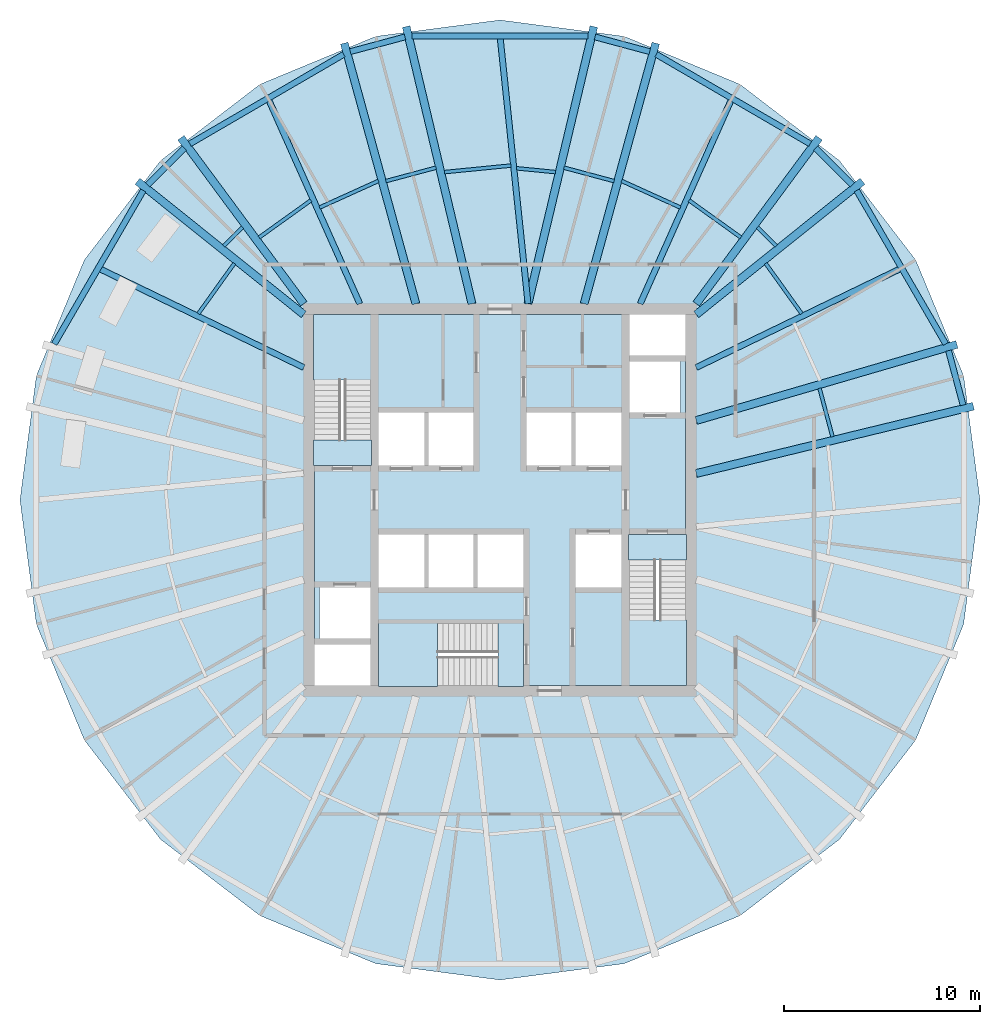
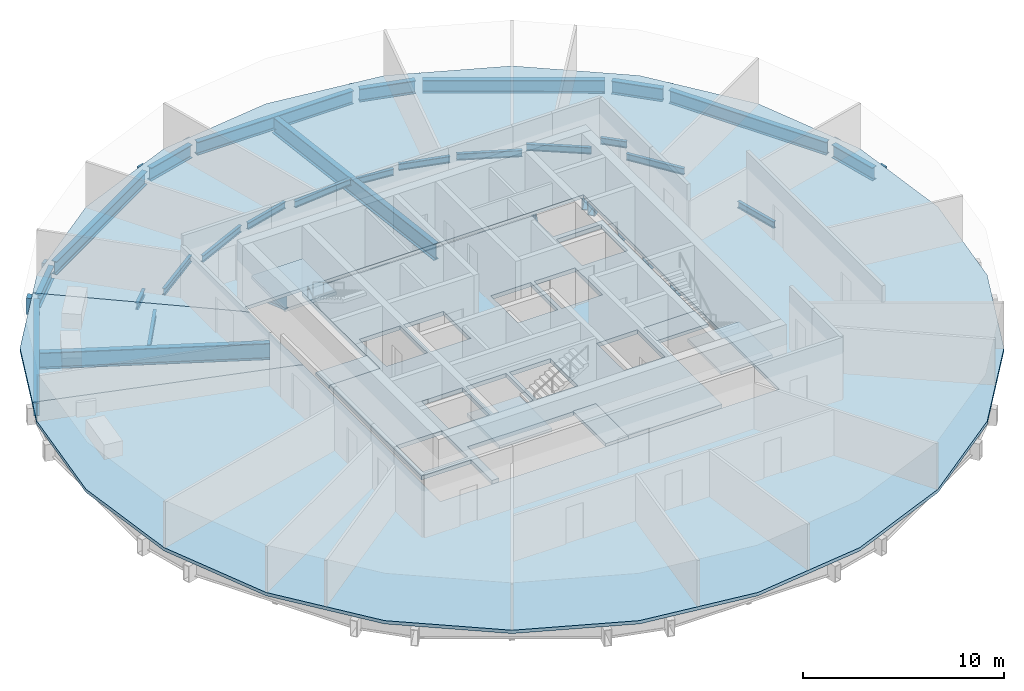
# One storey, part 2 of 7: 38 beams, 9 slabs, 3 elements without a shape of their own.
"""IFC4 building model written with IfcOpenShell, lengths in metres."""

from ifc_helpers import new_model, si_unit, direction, frame, origin, origin_2d, place, context, subcontext, project, spatial, polyline, hollow_rectangle, i_section, outline, extrude, material, layer, layer_set, material_profile, profile_set, type_object, element, aggregate, save


model = new_model("IFC4")

# Units and contexts
model_context = context("Model", 3, precision=1e-05, world=origin(), true_north=direction((0.0, 1.0)))
body_context = subcontext(model_context, "Body", "Model", "MODEL_VIEW")
ifc_project = project(units=[si_unit("LENGTHUNIT", "METRE"), si_unit("AREAUNIT", "SQUARE_METRE"), si_unit("VOLUMEUNIT", "CUBIC_METRE"), si_unit("PLANEANGLEUNIT", "RADIAN"), si_unit("MASSUNIT", "GRAM", prefix="KILO")], contexts=[model_context])

# Site, building, storey
site_placement = place(None, origin())
site = spatial("IfcSite", under=ifc_project, at=site_placement, CompositionType="ELEMENT")
building_placement = place(site_placement, origin())
building = spatial("IfcBuilding", under=site, at=building_placement, Name="Golbaran Civic Tower", CompositionType="ELEMENT")
storey_placement = place(building_placement, frame((0.0, 0.0, 130.0)))
storey = spatial("IfcBuildingStorey", under=building, at=storey_placement, Name="L31", CompositionType="ELEMENT", Elevation=130.0)

# Beams
ifc_material_1 = material(Name="Steel S355", Category="steel")
ifc_material_profile_1 = material_profile(ifc_material_1, i_section(OverallWidth=0.300048828125, OverallDepth=0.800048828125, WebThickness=0.017578125, FlangeThickness=0.032958984375, FilletRadius=0.030029296875, at=origin_2d()), Name="HEB 800")
ifc_profile_set_1 = profile_set([ifc_material_profile_1], Name="Steel S355")
beam_type_1 = type_object("IfcBeamType", Name="EDGE BEAM HEB 800", PredefinedType="BEAM", material=ifc_profile_set_1)
beam_1_placement = place(storey_placement, frame((23.592529296875, 4.833984375, -0.60009765625), z_axis=(-0.258861981472, 0.965914320501, 0.0), x_axis=(-0.965914320501, -0.258861981472, 0.0)))
element("IfcBeam", 1, at=beam_1_placement, inside=storey, type_object=beam_type_1, Name="Edge beam 11.26 L31", PredefinedType="BEAM", context=body_context, shape_type="SweptSolid", body=[
    extrude(i_section(OverallWidth=0.300048828125, OverallDepth=0.800048828125, WebThickness=0.017578125, FlangeThickness=0.032958984375, FilletRadius=0.030029296875, at=origin_2d()), origin(), (0.0, 0.0, 1.0), 2.87548828125),
])
beam_2_placement = place(storey_placement, frame((22.70849609375, 7.94580078125, -0.60009765625), z_axis=(-0.5017193018, 0.865030486284, 0.0), x_axis=(-0.865030486284, -0.5017193018, 0.0)))
element("IfcBeam", 2, at=beam_2_placement, inside=storey, type_object=beam_type_1, Name="Edge beam 18.74 L31", PredefinedType="BEAM", context=body_context, shape_type="SweptSolid", body=[
    extrude(i_section(OverallWidth=0.300048828125, OverallDepth=0.800048828125, WebThickness=0.017578125, FlangeThickness=0.032958984375, FilletRadius=0.030029296875, at=origin_2d()), origin(), (0.0, 0.0, 1.0), 9.043701171875),
])
beam_3_placement = place(storey_placement, frame((17.951904296875, 16.054443359375, -0.60009765625), z_axis=(-0.706505441235, 0.707707610179, 0.0), x_axis=(-0.707707610179, -0.706505441235, 0.0)))
element("IfcBeam", 3, at=beam_3_placement, inside=storey, type_object=beam_type_1, Name="Edge beam 41.26 L31", PredefinedType="BEAM", context=body_context, shape_type="SweptSolid", body=[
    extrude(i_section(OverallWidth=0.300048828125, OverallDepth=0.800048828125, WebThickness=0.017578125, FlangeThickness=0.032958984375, FilletRadius=0.030029296875, at=origin_2d()), origin(), (0.0, 0.0, 1.0), 2.64013671875),
])
beam_4_placement = place(storey_placement, frame((15.801513671875, 18.142822265625, -0.60009765625), z_axis=(-0.864400249816, 0.502804343774, 0.0), x_axis=(-0.502804343774, -0.864400249816, 0.0)))
element("IfcBeam", 4, at=beam_4_placement, inside=storey, type_object=beam_type_1, Name="Edge beam 48.74 L31", PredefinedType="BEAM", context=body_context, shape_type="SweptSolid", body=[
    extrude(i_section(OverallWidth=0.300048828125, OverallDepth=0.800048828125, WebThickness=0.017578125, FlangeThickness=0.032958984375, FilletRadius=0.030029296875, at=origin_2d()), origin(), (0.0, 0.0, 1.0), 9.068359375),
])
beam_5_placement = place(storey_placement, frame((7.628173828125, 22.842529296875, -0.60009765625), z_axis=(-0.965794305958, 0.259309387759, 0.0), x_axis=(-0.259309387759, -0.965794305958, 0.0)))
element("IfcBeam", 5, at=beam_5_placement, inside=storey, type_object=beam_type_1, Name="Edge beam 71.26 L31", PredefinedType="BEAM", context=body_context, shape_type="SweptSolid", body=[
    extrude(i_section(OverallWidth=0.300048828125, OverallDepth=0.800048828125, WebThickness=0.017578125, FlangeThickness=0.032958984375, FilletRadius=0.030029296875, at=origin_2d()), origin(), (0.0, 0.0, 1.0), 2.8876953125),
])
beam_6_placement = place(storey_placement, frame((4.48046875, 23.63818359375, -0.60009765625), z_axis=(-1.0, 0.0, 0.0), x_axis=(0.0, -1.0, 0.0)))
element("IfcBeam", 6, at=beam_6_placement, inside=storey, type_object=beam_type_1, Name="Edge beam 78.74 L31", PredefinedType="BEAM", context=body_context, shape_type="SweptSolid", body=[
    extrude(i_section(OverallWidth=0.300048828125, OverallDepth=0.800048828125, WebThickness=0.017578125, FlangeThickness=0.032958984375, FilletRadius=0.030029296875, at=origin_2d()), origin(), (0.0, 0.0, 1.0), 8.9609375),
])
beam_7_placement = place(storey_placement, frame((-4.83935546875, 23.59130859375, -0.60009765625), z_axis=(-0.965794305958, -0.259309387759, 0.0), x_axis=(0.259309387759, -0.965794305958, 0.0)))
element("IfcBeam", 7, at=beam_7_placement, inside=storey, type_object=beam_type_1, Name="Edge beam 101.26 L31", PredefinedType="BEAM", context=body_context, shape_type="SweptSolid", body=[
    extrude(i_section(OverallWidth=0.300048828125, OverallDepth=0.800048828125, WebThickness=0.017578125, FlangeThickness=0.032958984375, FilletRadius=0.030029296875, at=origin_2d()), origin(), (0.0, 0.0, 1.0), 2.8876953125),
])
beam_8_placement = place(storey_placement, frame((-7.962890625, 22.702392578125, -0.60009765625), z_axis=(-0.864400249816, -0.502804343774, 0.0), x_axis=(0.502804343774, -0.864400249816, 0.0)))
element("IfcBeam", 8, at=beam_8_placement, inside=storey, type_object=beam_type_1, Name="Edge beam 108.74 L31", PredefinedType="BEAM", context=body_context, shape_type="SweptSolid", body=[
    extrude(i_section(OverallWidth=0.300048828125, OverallDepth=0.800048828125, WebThickness=0.017578125, FlangeThickness=0.032958984375, FilletRadius=0.030029296875, at=origin_2d()), origin(), (0.0, 0.0, 1.0), 9.068359375),
])
beam_9_placement = place(storey_placement, frame((-16.086669921875, 17.9228515625, -0.60009765625), z_axis=(-0.706505441235, -0.707707610179, 0.0), x_axis=(0.707707610179, -0.706505441235, 0.0)))
element("IfcBeam", 9, at=beam_9_placement, inside=storey, type_object=beam_type_1, Name="Edge beam 131.26 L31", PredefinedType="BEAM", context=body_context, shape_type="SweptSolid", body=[
    extrude(i_section(OverallWidth=0.300048828125, OverallDepth=0.800048828125, WebThickness=0.017578125, FlangeThickness=0.032958984375, FilletRadius=0.030029296875, at=origin_2d()), origin(), (0.0, 0.0, 1.0), 2.64013671875),
])
beam_10_placement = place(storey_placement, frame((-18.171142578125, 15.768798828125, -0.60009765625), z_axis=(-0.5017193018, -0.865030486284, 0.0), x_axis=(0.865030486284, -0.5017193018, 0.0)))
element("IfcBeam", 10, at=beam_10_placement, inside=storey, type_object=beam_type_1, Name="Edge beam 138.74 L31", PredefinedType="BEAM", context=body_context, shape_type="SweptSolid", body=[
    extrude(i_section(OverallWidth=0.300048828125, OverallDepth=0.800048828125, WebThickness=0.017578125, FlangeThickness=0.032958984375, FilletRadius=0.030029296875, at=origin_2d()), origin(), (0.0, 0.0, 1.0), 9.043701171875),
])
ifc_material_profile_2 = material_profile(ifc_material_1, i_section(OverallWidth=0.179931640625, OverallDepth=0.39990234375, WebThickness=0.008544921875, FlangeThickness=0.013427734375, FilletRadius=0.02099609375, at=origin_2d()), Name="IPE 400")
ifc_profile_set_2 = profile_set([ifc_material_profile_2], Name="Steel S355")
beam_type_2 = type_object("IfcBeamType", Name="FLOOR INFILL BEAM IPE 400", PredefinedType="BEAM", material=ifc_profile_set_2)
beam_11_placement = place(storey_placement, frame((16.940185546875, 3.219482421875, -0.39990234375), z_axis=(-0.258825000964, 0.965924230401, 0.0), x_axis=(-0.965924230401, -0.258825000964, 0.0)))
element("IfcBeam", 11, at=beam_11_placement, inside=storey, type_object=beam_type_2, Name="Infill beam 15.00 L31", PredefinedType="BEAM", context=body_context, shape_type="SweptSolid", body=[
    extrude(i_section(OverallWidth=0.179931640625, OverallDepth=0.39990234375, WebThickness=0.008544921875, FlangeThickness=0.013427734375, FilletRadius=0.02099609375, at=origin_2d()), origin(), (0.0, 0.0, 1.0), 2.56201171875),
])
beam_12_placement = place(storey_placement, frame((15.36865234375, 9.492919921875, -0.39990234375), z_axis=(-0.582528332799, 0.812810397009, 0.0), x_axis=(-0.812810397009, -0.582528332799, 0.0)))
element("IfcBeam", 12, at=beam_12_placement, inside=storey, type_object=beam_type_2, Name="Infill beam 35.63 L31", PredefinedType="BEAM", context=body_context, shape_type="SweptSolid", body=[
    extrude(i_section(OverallWidth=0.179931640625, OverallDepth=0.39990234375, WebThickness=0.008544921875, FlangeThickness=0.013427734375, FilletRadius=0.02099609375, at=origin_2d()), origin(), (0.0, 0.0, 1.0), 3.148681640625),
])
beam_13_placement = place(storey_placement, frame((14.06494140625, 12.93896484375, -0.39990234375), z_axis=(-0.707016640735, 0.707196910149, 0.0), x_axis=(-0.707196910149, -0.707016640735, 0.0)))
element("IfcBeam", 13, at=beam_13_placement, inside=storey, type_object=beam_type_2, Name="Infill beam 45.00 L31", PredefinedType="BEAM", context=body_context, shape_type="SweptSolid", body=[
    extrude(i_section(OverallWidth=0.179931640625, OverallDepth=0.39990234375, WebThickness=0.008544921875, FlangeThickness=0.013427734375, FilletRadius=0.02099609375, at=origin_2d()), origin(), (0.0, 0.0, 1.0), 1.354248046875),
])
beam_14_placement = place(storey_placement, frame((12.272216796875, 13.373291015625, -0.39990234375), z_axis=(-0.812771400796, 0.582582740946, 0.0), x_axis=(-0.582582740946, -0.812771400796, 0.0)))
element("IfcBeam", 14, at=beam_14_placement, inside=storey, type_object=beam_type_2, Name="Infill beam 54.37 L31", PredefinedType="BEAM", context=body_context, shape_type="SweptSolid", body=[
    extrude(i_section(OverallWidth=0.179931640625, OverallDepth=0.39990234375, WebThickness=0.008544921875, FlangeThickness=0.013427734375, FilletRadius=0.02099609375, at=origin_2d()), origin(), (0.0, 0.0, 1.0), 3.244384765625),
])
beam_15_placement = place(storey_placement, frame((9.188232421875, 14.900390625, -0.39990234375), z_axis=(-0.910914708444, 0.412594709056, 0.0), x_axis=(-0.412594709056, -0.910914708444, 0.0)))
element("IfcBeam", 15, at=beam_15_placement, inside=storey, type_object=beam_type_2, Name="Infill beam 65.63 L31", PredefinedType="BEAM", context=body_context, shape_type="SweptSolid", body=[
    extrude(i_section(OverallWidth=0.179931640625, OverallDepth=0.39990234375, WebThickness=0.008544921875, FlangeThickness=0.013427734375, FilletRadius=0.02099609375, at=origin_2d()), origin(), (0.0, 0.0, 1.0), 3.289306640625),
])
beam_16_placement = place(storey_placement, frame((5.81494140625, 16.24462890625, -0.39990234375), z_axis=(-0.965924994823, 0.258822148155, 0.0), x_axis=(-0.258822148155, -0.965924994823, 0.0)))
element("IfcBeam", 16, at=beam_16_placement, inside=storey, type_object=beam_type_2, Name="Infill beam 75.00 L31", PredefinedType="BEAM", context=body_context, shape_type="SweptSolid", body=[
    extrude(i_section(OverallWidth=0.179931640625, OverallDepth=0.39990234375, WebThickness=0.008544921875, FlangeThickness=0.013427734375, FilletRadius=0.02099609375, at=origin_2d()), origin(), (0.0, 0.0, 1.0), 2.646728515625),
])
beam_17_placement = place(storey_placement, frame((2.83447265625, 16.703125, -0.39990234375), z_axis=(-0.995173494975, 0.098131110758, 0.0), x_axis=(-0.098131110758, -0.995173494975, 0.0)))
element("IfcBeam", 17, at=beam_17_placement, inside=storey, type_object=beam_type_2, Name="Infill beam 84.37 L31", PredefinedType="BEAM", context=body_context, shape_type="SweptSolid", body=[
    extrude(i_section(OverallWidth=0.179931640625, OverallDepth=0.39990234375, WebThickness=0.008544921875, FlangeThickness=0.013427734375, FilletRadius=0.02099609375, at=origin_2d()), origin(), (0.0, 0.0, 1.0), 2.0078125),
])
beam_18_placement = place(storey_placement, frame((0.560546875, 17.037841796875, -0.39990234375), z_axis=(-0.995175098578, -0.09811484684, 0.0), x_axis=(0.09811484684, -0.995175098578, 0.0)))
element("IfcBeam", 18, at=beam_18_placement, inside=storey, type_object=beam_type_2, Name="Infill beam 95.63 L31", PredefinedType="BEAM", context=body_context, shape_type="SweptSolid", body=[
    extrude(i_section(OverallWidth=0.179931640625, OverallDepth=0.39990234375, WebThickness=0.008544921875, FlangeThickness=0.013427734375, FilletRadius=0.02099609375, at=origin_2d()), origin(), (0.0, 0.0, 1.0), 3.411376953125),
])
beam_19_placement = place(storey_placement, frame((-3.25830078125, 16.9296875, -0.39990234375), z_axis=(-0.965924994823, -0.258822148155, 0.0), x_axis=(0.258822148155, -0.965924994823, 0.0)))
element("IfcBeam", 19, at=beam_19_placement, inside=storey, type_object=beam_type_2, Name="Infill beam 105.00 L31", PredefinedType="BEAM", context=body_context, shape_type="SweptSolid", body=[
    extrude(i_section(OverallWidth=0.179931640625, OverallDepth=0.39990234375, WebThickness=0.008544921875, FlangeThickness=0.013427734375, FilletRadius=0.02099609375, at=origin_2d()), origin(), (0.0, 0.0, 1.0), 2.646728515625),
])
beam_20_placement = place(storey_placement, frame((-6.19189453125, 16.257568359375, -0.39990234375), z_axis=(-0.910914708444, -0.412594709056, 0.0), x_axis=(0.412594709056, -0.910914708444, 0.0)))
element("IfcBeam", 20, at=beam_20_placement, inside=storey, type_object=beam_type_2, Name="Infill beam 114.37 L31", PredefinedType="BEAM", context=body_context, shape_type="SweptSolid", body=[
    extrude(i_section(OverallWidth=0.179931640625, OverallDepth=0.39990234375, WebThickness=0.008544921875, FlangeThickness=0.013427734375, FilletRadius=0.02099609375, at=origin_2d()), origin(), (0.0, 0.0, 1.0), 3.289306640625),
])
beam_21_placement = place(storey_placement, frame((-9.63525390625, 15.263427734375, -0.39990234375), z_axis=(-0.812771400796, -0.582582740946, 0.0), x_axis=(0.582582740946, -0.812771400796, 0.0)))
element("IfcBeam", 21, at=beam_21_placement, inside=storey, type_object=beam_type_2, Name="Infill beam 125.63 L31", PredefinedType="BEAM", context=body_context, shape_type="SweptSolid", body=[
    extrude(i_section(OverallWidth=0.179931640625, OverallDepth=0.39990234375, WebThickness=0.008544921875, FlangeThickness=0.013427734375, FilletRadius=0.02099609375, at=origin_2d()), origin(), (0.0, 0.0, 1.0), 3.244384765625),
])
beam_22_placement = place(storey_placement, frame((-13.107421875, 13.896728515625, -0.39990234375), z_axis=(-0.707016640735, -0.707196910149, 0.0), x_axis=(0.707196910149, -0.707016640735, 0.0)))
element("IfcBeam", 22, at=beam_22_placement, inside=storey, type_object=beam_type_2, Name="Infill beam 135.00 L31", PredefinedType="BEAM", context=body_context, shape_type="SweptSolid", body=[
    extrude(i_section(OverallWidth=0.179931640625, OverallDepth=0.39990234375, WebThickness=0.008544921875, FlangeThickness=0.013427734375, FilletRadius=0.02099609375, at=origin_2d()), origin(), (0.0, 0.0, 1.0), 1.354248046875),
])
beam_23_placement = place(storey_placement, frame((-13.534423828125, 12.05224609375, -0.39990234375), z_axis=(-0.582528332799, -0.812810397009, 0.0), x_axis=(0.812810397009, -0.582528332799, 0.0)))
element("IfcBeam", 23, at=beam_23_placement, inside=storey, type_object=beam_type_2, Name="Infill beam 144.37 L31", PredefinedType="BEAM", context=body_context, shape_type="SweptSolid", body=[
    extrude(i_section(OverallWidth=0.179931640625, OverallDepth=0.39990234375, WebThickness=0.008544921875, FlangeThickness=0.013427734375, FilletRadius=0.02099609375, at=origin_2d()), origin(), (0.0, 0.0, 1.0), 3.148681640625),
])
ifc_material_profile_3 = material_profile(ifc_material_1, hollow_rectangle(XDim=0.39990234375, YDim=1.0, WallThickness=0.0400390625, at=origin_2d()), Name="BOX 1000x400x40")
ifc_profile_set_3 = profile_set([ifc_material_profile_3], Name="Steel S355")
beam_type_3 = type_object("IfcBeamType", Name="RADIAL FLOOR BEAM BOX 1000x400x40", PredefinedType="BEAM", material=ifc_profile_set_3)
beam_24_placement = place(storey_placement, frame((10.0, 1.35009765625, -0.7099609375), z_axis=(0.971793766222, 0.235832304681, 0.0), x_axis=(-0.235832304681, 0.971793766222, 0.0)))
element("IfcBeam", 24, at=beam_24_placement, inside=storey, type_object=beam_type_3, Name="Radial beam 11.26 L31", PredefinedType="BEAM", context=body_context, shape_type="SweptSolid", body=[
    extrude(hollow_rectangle(XDim=0.39990234375, YDim=1.0, WallThickness=0.0400390625, at=origin_2d()), origin(), (0.0, 0.0, 1.0), 14.529541015625),
])
beam_25_placement = place(storey_placement, frame((10.0, 4.050048828125, -0.7099609375), z_axis=(0.959965986328, 0.280116591965, 0.0), x_axis=(-0.280116591965, 0.959965986328, 0.0)))
element("IfcBeam", 25, at=beam_25_placement, inside=storey, type_object=beam_type_3, Name="Radial beam 18.74 L31", PredefinedType="BEAM", context=body_context, shape_type="SweptSolid", body=[
    extrude(hollow_rectangle(XDim=0.39990234375, YDim=1.0, WallThickness=0.0400390625, at=origin_2d()), origin(), (0.0, 0.0, 1.0), 13.830078125),
])
beam_26_placement = place(storey_placement, frame((10.0, 9.449951171875, -0.7099609375), z_axis=(0.780286857338, 0.625421793884, 0.0), x_axis=(-0.625421793884, 0.780286857338, 0.0)))
element("IfcBeam", 26, at=beam_26_placement, inside=storey, type_object=beam_type_3, Name="Radial beam 41.26 L31", PredefinedType="BEAM", context=body_context, shape_type="SweptSolid", body=[
    extrude(hollow_rectangle(XDim=0.39990234375, YDim=1.0, WallThickness=0.0400390625, at=origin_2d()), origin(), (0.0, 0.0, 1.0), 10.8525390625),
])
beam_27_placement = place(storey_placement, frame((10.0, 10.0, -0.7099609375), z_axis=(0.594828304916, 0.803852777361, 0.0), x_axis=(-0.803852777361, 0.594828304916, 0.0)))
element("IfcBeam", 27, at=beam_27_placement, inside=storey, type_object=beam_type_3, Name="Radial beam 48.74 L31", PredefinedType="BEAM", context=body_context, shape_type="SweptSolid", body=[
    extrude(hollow_rectangle(XDim=0.39990234375, YDim=1.0, WallThickness=0.0400390625, at=origin_2d()), origin(), (0.0, 0.0, 1.0), 10.5166015625),
])
beam_28_placement = place(storey_placement, frame((4.28564453125, 10.0, -0.7099609375), z_axis=(0.264968907776, 0.964256956372, 0.0), x_axis=(-0.964256956372, 0.264968907776, 0.0)))
element("IfcBeam", 28, at=beam_28_placement, inside=storey, type_object=beam_type_3, Name="Radial beam 71.26 L31", PredefinedType="BEAM", context=body_context, shape_type="SweptSolid", body=[
    extrude(hollow_rectangle(XDim=0.39990234375, YDim=1.0, WallThickness=0.0400390625, at=origin_2d()), origin(), (0.0, 0.0, 1.0), 13.7646484375),
])
for number, where, z_axis, x_axis, name in (
    (29, (1.428466796875, 10.0, -0.7099609375), (0.230939650145, 0.972968076553, 0.0), (-0.972968076553, 0.230939650145, 0.0), "Radial beam 78.74 L31"),
    (30, (-1.428466796875, 10.0, -0.7099609375), (-0.230939650145, 0.972968076553, 0.0), (-0.972968076553, -0.230939650145, 0.0), "Radial beam 101.26 L31"),
):
    element("IfcBeam", number, at=place(storey_placement, frame(where, z_axis=z_axis, x_axis=x_axis)), inside=storey, type_object=beam_type_3, Name=name, PredefinedType="BEAM", context=body_context, shape_type="SweptSolid", body=[
        extrude(hollow_rectangle(XDim=0.39990234375, YDim=1.0, WallThickness=0.0400390625, at=origin_2d()), origin(), (0.0, 0.0, 1.0), 14.51171875),
    ])
beam_29_placement = place(storey_placement, frame((-4.28564453125, 10.0, -0.7099609375), z_axis=(-0.264968907776, 0.964256956372, 0.0), x_axis=(-0.964256956372, -0.264968907776, 0.0)))
element("IfcBeam", 31, at=beam_29_placement, inside=storey, type_object=beam_type_3, Name="Radial beam 108.74 L31", PredefinedType="BEAM", context=body_context, shape_type="SweptSolid", body=[
    extrude(hollow_rectangle(XDim=0.39990234375, YDim=1.0, WallThickness=0.0400390625, at=origin_2d()), origin(), (0.0, 0.0, 1.0), 13.7646484375),
])
beam_30_placement = place(storey_placement, frame((-10.0, 10.0, -0.7099609375), z_axis=(-0.594828304916, 0.803852777361, 0.0), x_axis=(-0.803852777361, -0.594828304916, 0.0)))
element("IfcBeam", 32, at=beam_30_placement, inside=storey, type_object=beam_type_3, Name="Radial beam 131.26 L31", PredefinedType="BEAM", context=body_context, shape_type="SweptSolid", body=[
    extrude(hollow_rectangle(XDim=0.39990234375, YDim=1.0, WallThickness=0.0400390625, at=origin_2d()), origin(), (0.0, 0.0, 1.0), 10.5166015625),
])
beam_31_placement = place(storey_placement, frame((-10.0, 9.449951171875, -0.7099609375), z_axis=(-0.780286857338, 0.625421793884, 0.0), x_axis=(-0.625421793884, -0.780286857338, 0.0)))
element("IfcBeam", 33, at=beam_31_placement, inside=storey, type_object=beam_type_3, Name="Radial beam 138.74 L31", PredefinedType="BEAM", context=body_context, shape_type="SweptSolid", body=[
    extrude(hollow_rectangle(XDim=0.39990234375, YDim=1.0, WallThickness=0.0400390625, at=origin_2d()), origin(), (0.0, 0.0, 1.0), 10.8525390625),
])
ifc_material_profile_4 = material_profile(ifc_material_1, i_section(OverallWidth=0.300048828125, OverallDepth=1.0, WebThickness=0.01904296875, FlangeThickness=0.035888671875, FilletRadius=0.030029296875, at=origin_2d()), Name="HEB 1000")
ifc_profile_set_4 = profile_set([ifc_material_profile_4], Name="Steel S355")
beam_type_4 = type_object("IfcBeamType", Name="SECONDARY FLOOR BEAM HEB 1000", PredefinedType="BEAM", material=ifc_profile_set_4)
beam_32_placement = place(storey_placement, frame((10.0, 6.75, -0.7099609375), z_axis=(0.900098952102, 0.43568552469, 0.0), x_axis=(-0.43568552469, 0.900098952102, 0.0)))
element("IfcBeam", 34, at=beam_32_placement, inside=storey, type_object=beam_type_4, Name="Secondary beam 30.00 L31", PredefinedType="BEAM", context=body_context, shape_type="SweptSolid", body=[
    extrude(i_section(OverallWidth=0.300048828125, OverallDepth=1.0, WebThickness=0.01904296875, FlangeThickness=0.035888671875, FilletRadius=0.030029296875, at=origin_2d()), origin(), (0.0, 0.0, 1.0), 11.625732421875),
])
beam_33_placement = place(storey_placement, frame((7.142822265625, 10.0, -0.7099609375), z_axis=(0.407681932174, 0.913124001535, 0.0), x_axis=(-0.913124001535, 0.407681932174, 0.0)))
element("IfcBeam", 35, at=beam_33_placement, inside=storey, type_object=beam_type_4, Name="Secondary beam 60.00 L31", PredefinedType="BEAM", context=body_context, shape_type="SweptSolid", body=[
    extrude(i_section(OverallWidth=0.300048828125, OverallDepth=1.0, WebThickness=0.01904296875, FlangeThickness=0.035888671875, FilletRadius=0.030029296875, at=origin_2d()), origin(), (0.0, 0.0, 1.0), 11.457763671875),
])
beam_34_placement = place(storey_placement, frame((1.428466796875, 10.0, -0.7099609375), z_axis=(-0.104170409562, 0.994559463165, 0.0), x_axis=(-0.994559463165, -0.104170409562, 0.0)))
element("IfcBeam", 36, at=beam_34_placement, inside=storey, type_object=beam_type_4, Name="Secondary beam 90.00 L31", PredefinedType="BEAM", context=body_context, shape_type="SweptSolid", body=[
    extrude(i_section(OverallWidth=0.300048828125, OverallDepth=1.0, WebThickness=0.01904296875, FlangeThickness=0.035888671875, FilletRadius=0.030029296875, at=origin_2d()), origin(), (0.0, 0.0, 1.0), 13.712890625),
])
beam_35_placement = place(storey_placement, frame((-7.142822265625, 10.0, -0.7099609375), z_axis=(-0.407681932174, 0.913124001535, 0.0), x_axis=(-0.913124001535, -0.407681932174, 0.0)))
element("IfcBeam", 37, at=beam_35_placement, inside=storey, type_object=beam_type_4, Name="Secondary beam 120.00 L31", PredefinedType="BEAM", context=body_context, shape_type="SweptSolid", body=[
    extrude(i_section(OverallWidth=0.300048828125, OverallDepth=1.0, WebThickness=0.01904296875, FlangeThickness=0.035888671875, FilletRadius=0.030029296875, at=origin_2d()), origin(), (0.0, 0.0, 1.0), 11.457763671875),
])
beam_36_placement = place(storey_placement, frame((-10.0, 6.75, -0.7099609375), z_axis=(-0.900098952102, 0.43568552469, 0.0), x_axis=(-0.43568552469, -0.900098952102, 0.0)))
element("IfcBeam", 38, at=beam_36_placement, inside=storey, type_object=beam_type_4, Name="Secondary beam 150.00 L31", PredefinedType="BEAM", context=body_context, shape_type="SweptSolid", body=[
    extrude(i_section(OverallWidth=0.300048828125, OverallDepth=1.0, WebThickness=0.01904296875, FlangeThickness=0.035888671875, FilletRadius=0.030029296875, at=origin_2d()), origin(), (0.0, 0.0, 1.0), 11.625732421875),
])

# Slabs
ifc_material_2 = material(Name="Concrete LC30/33 lightweight on steel deck", Category="concrete")
ifc_layer_1 = layer(ifc_material_2, 0.199951171875, Name="Concrete LC30/33 lightweight on steel deck")
ifc_layer_set_1 = layer_set([ifc_layer_1], Name="Concrete LC30/33 lightweight on steel deck")
slab_type_1 = type_object("IfcSlabType", Name="COMPOSITE FLOOR SLAB 200", PredefinedType="FLOOR", material=ifc_layer_set_1)
slab_1_placement = place(storey_placement, frame((0.0, 0.0, -0.199951171875)))
element("IfcSlab", 39, at=slab_1_placement, inside=storey, type_object=slab_type_1, Name="Sky garden deck L31", PredefinedType="FLOOR", context=body_context, shape_type="SweptSolid", body=[
    extrude(outline(polyline([(-18.239990234375, 16.054443359375), (-10.0, 9.449951171875), (-9.72509765625, 9.190185546875), (-9.72509765625, 3.938720703125), (-10.0, 4.050048828125), (-22.99365234375, 7.841552734375), (-21.17724609375, 12.2265625), (-18.239990234375, 16.054443359375)])), origin(), (0.0, 0.0, 1.0), 0.199951171875),
])
slab_2_placement = place(storey_placement, frame((0.0, 0.0, -0.199951171875)))
element("IfcSlab", 40, at=slab_2_placement, inside=storey, type_object=slab_type_1, Name="Floor slab L31", PredefinedType="FLOOR", context=body_context, shape_type="SweptSolid", body=[
    extrude(outline(polyline([(17.291015625, -17.291015625), (12.2265625, -21.17724609375), (6.3291015625, -23.6201171875), (0.0, -24.453369140625), (-6.3291015625, -23.6201171875), (-12.2265625, -21.17724609375), (-17.291015625, -17.291015625), (-21.17724609375, -12.2265625), (-23.6201171875, -6.3291015625), (-24.453369140625, 0.0), (-23.6201171875, 6.3291015625), (-22.99365234375, 7.841552734375), (-10.0, 4.050048828125), (-9.72509765625, 3.938720703125), (-9.72509765625, -9.72509765625), (9.72509765625, -9.72509765625), (9.72509765625, 9.72509765625), (-9.72509765625, 9.72509765625), (-9.72509765625, 9.190185546875), (-10.0, 9.449951171875), (-18.239990234375, 16.054443359375), (-17.291015625, 17.291015625), (-12.2265625, 21.17724609375), (-6.3291015625, 23.6201171875), (0.0, 24.453369140625), (6.3291015625, 23.6201171875), (12.2265625, 21.17724609375), (17.291015625, 17.291015625), (21.17724609375, 12.2265625), (23.6201171875, 6.3291015625), (24.453369140625, 0.0), (23.6201171875, -6.3291015625), (21.17724609375, -12.2265625), (17.291015625, -17.291015625)])), origin(), (0.0, 0.0, 1.0), 0.199951171875),
])
ifc_material_3 = material(Name="Concrete C35/45", Category="concrete")
ifc_layer_2 = layer(ifc_material_3, 0.25, Name="Concrete C35/45")
ifc_layer_set_2 = layer_set([ifc_layer_2], Name="Concrete C35/45")
slab_type_2 = type_object("IfcSlabType", Name="CORE FLOOR SLAB 250", PredefinedType="FLOOR", material=ifc_layer_set_2)
slab_3_placement = place(storey_placement, frame((0.0, 0.0, -0.25)))
element("IfcSlab", 41, at=slab_3_placement, inside=storey, type_object=slab_type_2, Name="Core floor slab L31", PredefinedType="FLOOR", context=body_context, shape_type="SweptSolid", body=[
    extrude(outline(polyline([(6.60009765625, -1.75), (6.60009765625, -9.449951171875), (1.199951171875, -9.449951171875), (1.199951171875, -6.300048828125), (-6.199951171875, -6.300048828125), (-6.199951171875, -9.449951171875), (-6.60009765625, -9.449951171875), (-6.60009765625, -7.35009765625), (-9.449951171875, -7.35009765625), (-9.449951171875, 1.75), (-6.60009765625, 1.75), (-6.60009765625, 9.449951171875), (6.60009765625, 9.449951171875), (6.60009765625, 7.35009765625), (9.449951171875, 7.35009765625), (9.449951171875, -1.75), (6.60009765625, -1.75)]), holes=[polyline([(9.199951171875, 7.050048828125), (6.60009765625, 7.050048828125), (6.60009765625, 4.449951171875), (9.199951171875, 4.449951171875), (9.199951171875, 7.050048828125)]), polyline([(6.199951171875, -1.75), (3.85009765625, -1.75), (3.85009765625, -4.449951171875), (6.199951171875, -4.449951171875), (6.199951171875, -1.75)]), polyline([(6.199951171875, 4.449951171875), (3.85009765625, 4.449951171875), (3.85009765625, 1.75), (6.199951171875, 1.75), (6.199951171875, 4.449951171875)]), polyline([(3.64990234375, 4.449951171875), (1.35009765625, 4.449951171875), (1.35009765625, 1.75), (3.64990234375, 1.75), (3.64990234375, 4.449951171875)]), polyline([(1.199951171875, -1.75), (-1.14990234375, -1.75), (-1.14990234375, -4.449951171875), (1.199951171875, -4.449951171875), (1.199951171875, -1.75)]), polyline([(-1.35009765625, 4.449951171875), (-3.64990234375, 4.449951171875), (-3.64990234375, 1.75), (-1.35009765625, 1.75), (-1.35009765625, 4.449951171875)]), polyline([(-1.35009765625, -1.75), (-3.64990234375, -1.75), (-3.64990234375, -4.449951171875), (-1.35009765625, -4.449951171875), (-1.35009765625, -1.75)]), polyline([(-3.85009765625, -1.75), (-6.199951171875, -1.75), (-6.199951171875, -4.449951171875), (-3.85009765625, -4.449951171875), (-3.85009765625, -1.75)]), polyline([(-3.85009765625, 4.449951171875), (-6.199951171875, 4.449951171875), (-6.199951171875, 1.75), (-3.85009765625, 1.75), (-3.85009765625, 4.449951171875)]), polyline([(-6.60009765625, -4.449951171875), (-9.199951171875, -4.449951171875), (-9.199951171875, -7.050048828125), (-6.60009765625, -7.050048828125), (-6.60009765625, -4.449951171875)])]), origin(), (0.0, 0.0, 1.0), 0.25),
])

# Stair, slab
stair_type_1 = type_object("IfcStairType", Name="EXIT STAIR 2850 x 7700, 4000 RISE", PredefinedType="HALF_TURN_STAIR", material=ifc_material_3)
stair_1_placement = place(storey_placement, origin())
stair_1 = element("IfcStair", 42, at=stair_1_placement, inside=storey, type_object=stair_type_1, Name="Stair S1 L31", PredefinedType="HALF_TURN_STAIR")
ifc_layer_3 = layer(ifc_material_3, 0.199951171875, Name="Concrete C35/45")
ifc_layer_set_3 = layer_set([ifc_layer_3], Name="Concrete C35/45")
slab_type_3 = type_object("IfcSlabType", Name="STAIR LANDING 200", PredefinedType="LANDING", material=ifc_layer_set_3)
slab_4_placement = place(storey_placement, frame((0.0, 0.0, 1.800048828125)))
slab_4 = element("IfcSlab", 43, at=slab_4_placement, type_object=slab_type_3, Name="ST28577-40 landing 1", PredefinedType="LANDING", context=body_context, shape_type="SweptSolid", body=[
    extrude(outline(polyline([(-9.5, 6.125), (-9.5, 9.449951171875), (-6.550048828125, 9.449951171875), (-6.550048828125, 6.125), (-9.5, 6.125)])), origin(), (0.0, 0.0, 1.0), 0.199951171875),
])
aggregate(stair_1, [slab_4])

# Slab
slab_5_placement = place(storey_placement, frame((0.0, 0.0, -0.199951171875)))
element("IfcSlab", 44, at=slab_5_placement, inside=storey, type_object=slab_type_3, Name="Stair S1 floor landing L31", PredefinedType="LANDING", context=body_context, shape_type="SweptSolid", body=[
    extrude(outline(polyline([(-9.5, 1.75), (-9.5, 3.054931640625), (-6.550048828125, 3.054931640625), (-6.550048828125, 1.75), (-9.5, 1.75)])), origin(), (0.0, 0.0, 1.0), 0.199951171875),
])

# Stair, slab
stair_2_placement = place(storey_placement, origin())
stair_2 = element("IfcStair", 45, at=stair_2_placement, inside=storey, type_object=stair_type_1, Name="Stair S2 L31", PredefinedType="HALF_TURN_STAIR")
slab_6_placement = place(storey_placement, frame((0.0, 0.0, 1.800048828125)))
slab_6 = element("IfcSlab", 46, at=slab_6_placement, type_object=slab_type_3, Name="ST28577-40 landing 1", PredefinedType="LANDING", context=body_context, shape_type="SweptSolid", body=[
    extrude(outline(polyline([(9.5, -6.125), (9.5, -9.449951171875), (6.550048828125, -9.449951171875), (6.550048828125, -6.125), (9.5, -6.125)])), origin(), (0.0, 0.0, 1.0), 0.199951171875),
])
aggregate(stair_2, [slab_6])

# Slab
slab_7_placement = place(storey_placement, frame((0.0, 0.0, -0.199951171875)))
element("IfcSlab", 47, at=slab_7_placement, inside=storey, type_object=slab_type_3, Name="Stair S2 floor landing L31", PredefinedType="LANDING", context=body_context, shape_type="SweptSolid", body=[
    extrude(outline(polyline([(9.5, -1.75), (9.5, -3.054931640625), (6.550048828125, -3.054931640625), (6.550048828125, -1.75), (9.5, -1.75)])), origin(), (0.0, 0.0, 1.0), 0.199951171875),
])

# Stair, slab
stair_type_2 = type_object("IfcStairType", Name="EXIT STAIR 3150 x 7400, 4000 RISE", PredefinedType="HALF_TURN_STAIR", material=ifc_material_3)
stair_3_placement = place(storey_placement, origin())
stair_3 = element("IfcStair", 48, at=stair_3_placement, inside=storey, type_object=stair_type_2, Name="Stair S3 L31", PredefinedType="HALF_TURN_STAIR")
slab_8_placement = place(storey_placement, frame((0.0, 0.0, 1.800048828125)))
slab_8 = element("IfcSlab", 49, at=slab_8_placement, type_object=slab_type_3, Name="ST31574-40 landing 1", PredefinedType="LANDING", context=body_context, shape_type="SweptSolid", body=[
    extrude(outline(polyline([(-3.175048828125, -9.5), (-6.199951171875, -9.5), (-6.199951171875, -6.25), (-3.175048828125, -6.25), (-3.175048828125, -9.5)])), origin(), (0.0, 0.0, 1.0), 0.199951171875),
])
aggregate(stair_3, [slab_8])

# Slab
slab_9_placement = place(storey_placement, frame((0.0, 0.0, -0.199951171875)))
element("IfcSlab", 50, at=slab_9_placement, inside=storey, type_object=slab_type_3, Name="Stair S3 floor landing L31", PredefinedType="LANDING", context=body_context, shape_type="SweptSolid", body=[
    extrude(outline(polyline([(1.199951171875, -9.5), (-0.10498046875, -9.5), (-0.10498046875, -6.25), (1.199951171875, -6.25), (1.199951171875, -9.5)])), origin(), (0.0, 0.0, 1.0), 0.199951171875),
])

save(model, "model.ifc")
